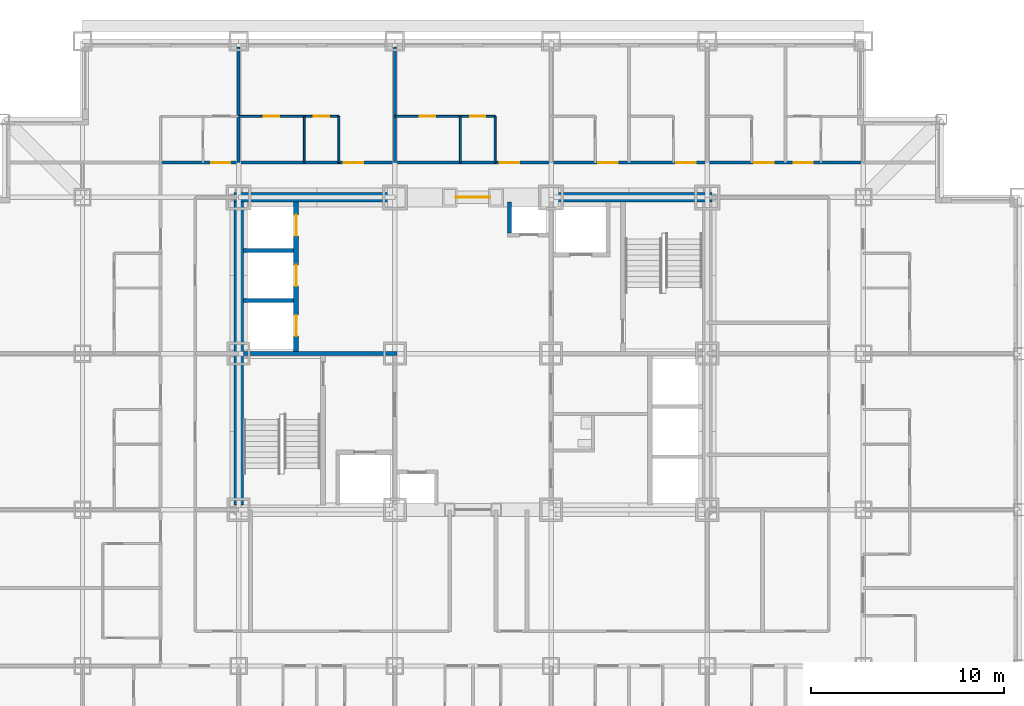
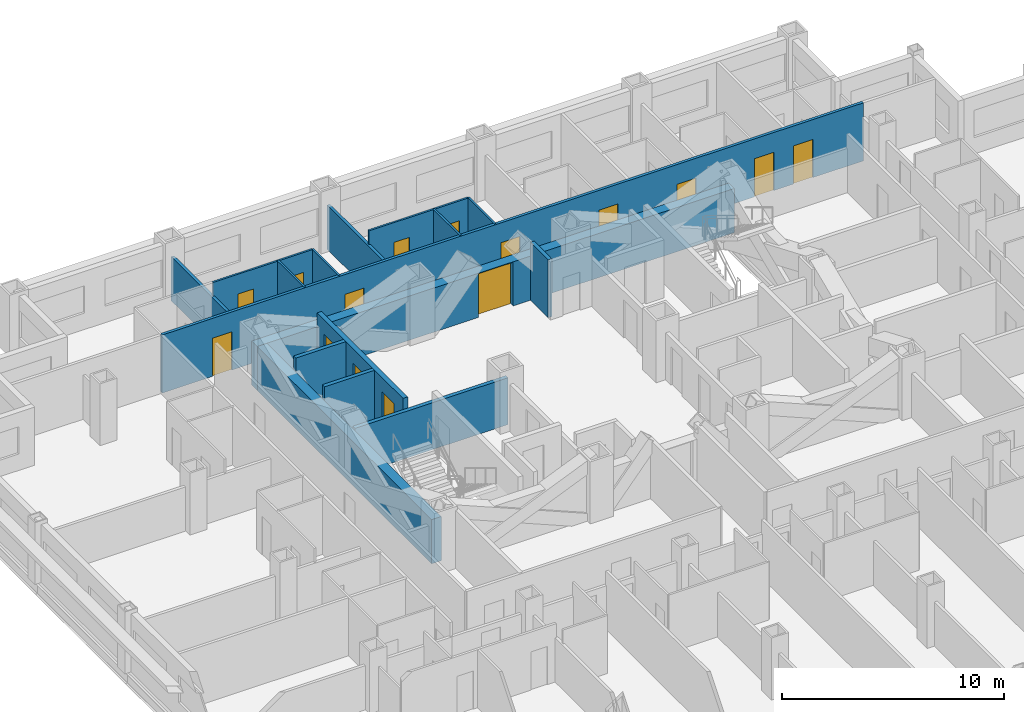
# One storey, part 8 of 12: 16 walls, 15 doors, 15 openings.
"""IFC4 building model written with IfcOpenShell, lengths in metres."""

from ifc_helpers import new_model, si_unit, direction, frame, frame_2d, origin, place, context, subcontext, project, spatial, rectangle, extrude, material, layer, layer_set, type_object, element, fill, save


model = new_model("IFC4")

# Units and contexts
model_context = context("Model", 3, precision=1e-05, world=origin(), true_north=direction((0.0, 1.0)))
body_context = subcontext(model_context, "Body", "Model", "MODEL_VIEW")
ifc_project = project(units=[si_unit("LENGTHUNIT", "METRE"), si_unit("AREAUNIT", "SQUARE_METRE"), si_unit("VOLUMEUNIT", "CUBIC_METRE"), si_unit("PLANEANGLEUNIT", "RADIAN"), si_unit("MASSUNIT", "GRAM", prefix="KILO")], contexts=[model_context])

# Site, building, storey
site_placement = place(None, origin())
site = spatial("IfcSite", under=ifc_project, at=site_placement, CompositionType="ELEMENT")
building_placement = place(site_placement, origin())
building = spatial("IfcBuilding", under=site, at=building_placement, Name="Kopane Lantern Tower", CompositionType="ELEMENT")
storey_placement = place(building_placement, frame((0.0, 0.0, 77.199951171875)))
storey = spatial("IfcBuildingStorey", under=building, at=storey_placement, Name="L19", CompositionType="ELEMENT", Elevation=77.199951171875)

# Wall, openings, doors
ifc_material_1 = material(Name="Moisture-resistant board on steel studs", Category="steel")
ifc_layer_1 = layer(ifc_material_1, 0.10009765625)
ifc_layer_set_1 = layer_set([ifc_layer_1], Name="BATHROOM WALL 100")
wall_type_1 = type_object("IfcWallType", Name="BATHROOM WALL 100", PredefinedType="PARTITIONING", material=ifc_layer_set_1)
wall_1_placement = place(storey_placement, frame((16.199951171875, 44.699951171875, 0.0), z_axis=(0.0, 0.0, 1.0), x_axis=(1.0, 0.0, 0.0)))
wall_1 = element("IfcWall", 1, at=wall_1_placement, inside=storey, type_object=wall_type_1, Name="Bathroom Wall 100 L19", PredefinedType="PARTITIONING", context=body_context, shape_type="SweptSolid", body=[
    extrude(rectangle(XDim=5.199951171875, YDim=0.10009765625, at=frame_2d((2.60009765625, 0.0))), origin(), (0.0, 0.0, 1.0), 3.18994140625),
])
opening_1_placement = place(wall_1_placement, frame((1.300048828125, 0.0, 0.0)))
opening_1 = element("IfcOpeningElement", 2, at=opening_1_placement, cuts=wall_1, Name="Opening L19-027", PredefinedType="OPENING", context=body_context, shape_type="SweptSolid", body=[
    extrude(rectangle(XDim=0.800048828125, YDim=2.10009765625, at=frame_2d((0.39990234375, 1.050048828125))), frame((0.0, 0.06005859375, 0.0), z_axis=(0.0, -1.0, 0.0), x_axis=(1.0, 0.0, 0.0)), (0.0, 0.0, 1.0), 0.1201171875),
])
opening_2_placement = place(wall_1_placement, frame((3.89990234375, 0.0, 0.0)))
opening_2 = element("IfcOpeningElement", 3, at=opening_2_placement, cuts=wall_1, Name="Opening L19-028", PredefinedType="OPENING", context=body_context, shape_type="SweptSolid", body=[
    extrude(rectangle(XDim=0.800048828125, YDim=2.10009765625, at=frame_2d((0.39990234375, 1.050048828125))), frame((0.0, 0.06005859375, 0.0), z_axis=(0.0, -1.0, 0.0), x_axis=(1.0, 0.0, 0.0)), (0.0, 0.0, 1.0), 0.1201171875),
])
ifc_material_2 = material(Name="Timber door set", Category="wood")
door_type_1 = type_object("IfcDoorType", Name="DOOR D2 800x2100", OperationType="SINGLE_SWING_LEFT", PredefinedType="DOOR", material=ifc_material_2)
door_1_placement = place(opening_1_placement, origin())
door_1 = element("IfcDoor", 4, at=door_1_placement, inside=storey, type_object=door_type_1, Name="Door L19-027", OperationType="SINGLE_SWING_LEFT", OverallHeight=2.10009765625, OverallWidth=0.800048828125, PredefinedType="DOOR", context=body_context, shape_type="SweptSolid", body=[
    extrude(rectangle(XDim=0.800048828125, YDim=2.10009765625, at=frame_2d((0.39990234375, 1.050048828125))), frame((0.0, 0.02490234375, 0.0), z_axis=(0.0, -1.0, 0.0), x_axis=(1.0, 0.0, 0.0)), (0.0, 0.0, 1.0), 0.050048828125),
])
fill(opening_1, door_1)
door_2_placement = place(opening_2_placement, origin())
door_2 = element("IfcDoor", 5, at=door_2_placement, inside=storey, type_object=door_type_1, Name="Door L19-028", OperationType="SINGLE_SWING_LEFT", OverallHeight=2.10009765625, OverallWidth=0.800048828125, PredefinedType="DOOR", context=body_context, shape_type="SweptSolid", body=[
    extrude(rectangle(XDim=0.800048828125, YDim=2.10009765625, at=frame_2d((0.39990234375, 1.050048828125))), frame((0.0, 0.02490234375, 0.0), z_axis=(0.0, -1.0, 0.0), x_axis=(1.0, 0.0, 0.0)), (0.0, 0.0, 1.0), 0.050048828125),
])
fill(opening_2, door_2)

# Walls
for number, where, z_axis, x_axis, name in (
    (6, (19.60009765625, 42.300048828125, 0.0), (0.0, 0.0, 1.0), (0.0, 1.0, 0.0), "Bathroom Wall 100 L19"),
    (7, (21.39990234375, 42.300048828125, 0.0), (0.0, 0.0, 1.0), (0.0, 1.0, 0.0), "Bathroom Wall 100 L19"),
):
    element("IfcWall", number, at=place(storey_placement, frame(where, z_axis=z_axis, x_axis=x_axis)), inside=storey, type_object=wall_type_1, Name=name, PredefinedType="PARTITIONING", context=body_context, shape_type="SweptSolid", body=[
        extrude(rectangle(XDim=2.39990234375, YDim=0.10009765625, at=frame_2d((1.199951171875, 0.0))), origin(), (0.0, 0.0, 1.0), 3.18994140625),
    ])

# Wall, openings, doors
wall_2_placement = place(storey_placement, frame((24.300048828125, 44.699951171875, 0.0), z_axis=(0.0, 0.0, 1.0), x_axis=(1.0, 0.0, 0.0)))
wall_2 = element("IfcWall", 8, at=wall_2_placement, inside=storey, type_object=wall_type_1, Name="Bathroom Wall 100 L19", PredefinedType="PARTITIONING", context=body_context, shape_type="SweptSolid", body=[
    extrude(rectangle(XDim=5.199951171875, YDim=0.10009765625, at=frame_2d((2.60009765625, 0.0))), origin(), (0.0, 0.0, 1.0), 3.18994140625),
])
opening_3_placement = place(wall_2_placement, frame((1.300048828125, 0.0, 0.0)))
opening_3 = element("IfcOpeningElement", 9, at=opening_3_placement, cuts=wall_2, Name="Opening L19-030", PredefinedType="OPENING", context=body_context, shape_type="SweptSolid", body=[
    extrude(rectangle(XDim=0.800048828125, YDim=2.10009765625, at=frame_2d((0.39990234375, 1.050048828125))), frame((0.0, 0.06005859375, 0.0), z_axis=(0.0, -1.0, 0.0), x_axis=(1.0, 0.0, 0.0)), (0.0, 0.0, 1.0), 0.1201171875),
])
opening_4_placement = place(wall_2_placement, frame((3.89990234375, 0.0, 0.0)))
opening_4 = element("IfcOpeningElement", 10, at=opening_4_placement, cuts=wall_2, Name="Opening L19-031", PredefinedType="OPENING", context=body_context, shape_type="SweptSolid", body=[
    extrude(rectangle(XDim=0.800048828125, YDim=2.10009765625, at=frame_2d((0.39990234375, 1.050048828125))), frame((0.0, 0.06005859375, 0.0), z_axis=(0.0, -1.0, 0.0), x_axis=(1.0, 0.0, 0.0)), (0.0, 0.0, 1.0), 0.1201171875),
])
door_3_placement = place(opening_3_placement, origin())
door_3 = element("IfcDoor", 11, at=door_3_placement, inside=storey, type_object=door_type_1, Name="Door L19-030", OperationType="SINGLE_SWING_LEFT", OverallHeight=2.10009765625, OverallWidth=0.800048828125, PredefinedType="DOOR", context=body_context, shape_type="SweptSolid", body=[
    extrude(rectangle(XDim=0.800048828125, YDim=2.10009765625, at=frame_2d((0.39990234375, 1.050048828125))), frame((0.0, 0.02490234375, 0.0), z_axis=(0.0, -1.0, 0.0), x_axis=(1.0, 0.0, 0.0)), (0.0, 0.0, 1.0), 0.050048828125),
])
fill(opening_3, door_3)
door_4_placement = place(opening_4_placement, origin())
door_4 = element("IfcDoor", 12, at=door_4_placement, inside=storey, type_object=door_type_1, Name="Door L19-031", OperationType="SINGLE_SWING_LEFT", OverallHeight=2.10009765625, OverallWidth=0.800048828125, PredefinedType="DOOR", context=body_context, shape_type="SweptSolid", body=[
    extrude(rectangle(XDim=0.800048828125, YDim=2.10009765625, at=frame_2d((0.39990234375, 1.050048828125))), frame((0.0, 0.02490234375, 0.0), z_axis=(0.0, -1.0, 0.0), x_axis=(1.0, 0.0, 0.0)), (0.0, 0.0, 1.0), 0.050048828125),
])
fill(opening_4, door_4)

# Walls
for number, where, z_axis, x_axis, name in (
    (13, (27.699951171875, 42.300048828125, 0.0), (0.0, 0.0, 1.0), (0.0, 1.0, 0.0), "Bathroom Wall 100 L19"),
    (14, (29.5, 42.300048828125, 0.0), (0.0, 0.0, 1.0), (0.0, 1.0, 0.0), "Bathroom Wall 100 L19"),
):
    element("IfcWall", number, at=place(storey_placement, frame(where, z_axis=z_axis, x_axis=x_axis)), inside=storey, type_object=wall_type_1, Name=name, PredefinedType="PARTITIONING", context=body_context, shape_type="SweptSolid", body=[
        extrude(rectangle(XDim=2.39990234375, YDim=0.10009765625, at=frame_2d((1.199951171875, 0.0))), origin(), (0.0, 0.0, 1.0), 3.18994140625),
    ])

# Wall, opening, door
ifc_material_3 = material(Name="Gypsum shaft wall EI 120", Category="gypsum")
ifc_layer_2 = layer(ifc_material_3, 0.5)
ifc_layer_set_2 = layer_set([ifc_layer_2], Name="CORE PERIMETER WALL 500 EI 120")
wall_type_2 = type_object("IfcWallType", Name="CORE PERIMETER WALL 500 EI 120", PredefinedType="SOLIDWALL", material=ifc_layer_set_2)
wall_3_placement = place(storey_placement, frame((15.949951171875, 40.5, 0.0), z_axis=(0.0, 0.0, 1.0), x_axis=(1.0, 0.0, 0.0)))
wall_3 = element("IfcWall", 15, at=wall_3_placement, inside=storey, type_object=wall_type_2, Name="Core shaft wall L19 PN", PredefinedType="SOLIDWALL", context=body_context, shape_type="SweptSolid", body=[
    extrude(rectangle(XDim=24.800048828125, YDim=0.5, at=frame_2d((12.39990234375, 0.0))), origin(), (0.0, 0.0, 1.0), 2.427734375),
])
opening_5_placement = place(wall_3_placement, frame((11.5, 0.0, 0.0)))
opening_5 = element("IfcOpeningElement", 16, at=opening_5_placement, cuts=wall_3, Name="Opening 19.CE-N", PredefinedType="OPENING", context=body_context, shape_type="SweptSolid", body=[
    extrude(rectangle(XDim=1.800048828125, YDim=2.39990234375, at=frame_2d((0.89990234375, 1.199951171875))), frame((0.0, 0.260009765625, 0.0), z_axis=(0.0, -1.0, 0.0), x_axis=(1.0, 0.0, 0.0)), (0.0, 0.0, 1.0), 0.52001953125),
])
ifc_material_4 = material(Name="Steel door set", Category="steel")
door_type_2 = type_object("IfcDoorType", Name="CORE ENTRY DOOR 1800x2400 FD60S", OperationType="DOUBLE_DOOR_SINGLE_SWING", PredefinedType="DOOR", material=ifc_material_4)
door_5_placement = place(opening_5_placement, origin())
door_5 = element("IfcDoor", 17, at=door_5_placement, inside=storey, type_object=door_type_2, Name="Core entry door L19 north", OperationType="DOUBLE_DOOR_SINGLE_SWING", OverallHeight=2.39990234375, OverallWidth=1.800048828125, PredefinedType="DOOR", context=body_context, shape_type="SweptSolid", body=[
    extrude(rectangle(XDim=1.800048828125, YDim=2.39990234375, at=frame_2d((0.89990234375, 1.199951171875))), frame((0.0, 0.02490234375, 0.0), z_axis=(0.0, -1.0, 0.0), x_axis=(1.0, 0.0, 0.0)), (0.0, 0.0, 1.0), 0.050048828125),
])
fill(opening_5, door_5)

# Wall
wall_4_placement = place(storey_placement, frame((16.199951171875, 24.550048828125, 0.0), z_axis=(0.0, 0.0, 1.0), x_axis=(0.0, 1.0, 0.0)))
element("IfcWall", 18, at=wall_4_placement, inside=storey, type_object=wall_type_2, Name="Core shaft wall L19 PW", PredefinedType="SOLIDWALL", context=body_context, shape_type="SweptSolid", body=[
    extrude(rectangle(XDim=15.699951171875, YDim=0.5, at=frame_2d((7.85009765625, 0.0))), origin(), (0.0, 0.0, 1.0), 2.427734375),
])

# Wall, openings, doors
ifc_material_5 = material(Name="Gypsum shaft wall EI 120", Category="gypsum")
ifc_layer_3 = layer(ifc_material_5, 0.25)
ifc_layer_set_3 = layer_set([ifc_layer_3], Name="CORE SHAFT WALL 250 EI 120")
wall_type_3 = type_object("IfcWallType", Name="CORE SHAFT WALL 250 EI 120", PredefinedType="SOLIDWALL", material=ifc_layer_set_3)
wall_5_placement = place(storey_placement, frame((19.175048828125, 32.5, 0.0), z_axis=(0.0, 0.0, 1.0), x_axis=(0.0, 1.0, 0.0)))
wall_5 = element("IfcWall", 19, at=wall_5_placement, inside=storey, type_object=wall_type_3, Name="Core shaft wall L19 XLH", PredefinedType="SOLIDWALL", context=body_context, shape_type="SweptSolid", body=[
    extrude(rectangle(XDim=7.75, YDim=0.25, at=frame_2d((3.875, 0.0))), origin(), (0.0, 0.0, 1.0), 3.18994140625),
])
opening_6_placement = place(wall_5_placement, frame((0.800048828125, 0.0, 0.0)))
opening_6 = element("IfcOpeningElement", 20, at=opening_6_placement, cuts=wall_5, Name="Opening 19.LD-LH1", PredefinedType="OPENING", context=body_context, shape_type="SweptSolid", body=[
    extrude(rectangle(XDim=1.10009765625, YDim=2.39990234375, at=frame_2d((0.550048828125, 1.199951171875))), frame((0.0, 0.135009765625, 0.0), z_axis=(0.0, -1.0, 0.0), x_axis=(1.0, 0.0, 0.0)), (0.0, 0.0, 1.0), 0.27001953125),
])
opening_7_placement = place(wall_5_placement, frame((3.39990234375, 0.0, 0.0)))
opening_7 = element("IfcOpeningElement", 21, at=opening_7_placement, cuts=wall_5, Name="Opening 19.LD-LH2", PredefinedType="OPENING", context=body_context, shape_type="SweptSolid", body=[
    extrude(rectangle(XDim=1.10009765625, YDim=2.39990234375, at=frame_2d((0.550048828125, 1.199951171875))), frame((0.0, 0.135009765625, 0.0), z_axis=(0.0, -1.0, 0.0), x_axis=(1.0, 0.0, 0.0)), (0.0, 0.0, 1.0), 0.27001953125),
])
opening_8_placement = place(wall_5_placement, frame((6.0, 0.0, 0.0)))
opening_8 = element("IfcOpeningElement", 22, at=opening_8_placement, cuts=wall_5, Name="Opening 19.LD-LH3", PredefinedType="OPENING", context=body_context, shape_type="SweptSolid", body=[
    extrude(rectangle(XDim=1.10009765625, YDim=2.39990234375, at=frame_2d((0.550048828125, 1.199951171875))), frame((0.0, 0.135009765625, 0.0), z_axis=(0.0, -1.0, 0.0), x_axis=(1.0, 0.0, 0.0)), (0.0, 0.0, 1.0), 0.27001953125),
])
ifc_material_6 = material(Name="Steel door set", Category="steel")
door_type_3 = type_object("IfcDoorType", Name="LIFT LANDING DOOR 1100x2400 FD60", OperationType="DOUBLE_DOOR_SLIDING", PredefinedType="DOOR", material=ifc_material_6)
door_6_placement = place(opening_6_placement, origin())
door_6 = element("IfcDoor", 23, at=door_6_placement, inside=storey, type_object=door_type_3, Name="Landing door LH1 L19", OperationType="DOUBLE_DOOR_SLIDING", OverallHeight=2.39990234375, OverallWidth=1.10009765625, PredefinedType="DOOR", context=body_context, shape_type="SweptSolid", body=[
    extrude(rectangle(XDim=1.10009765625, YDim=2.39990234375, at=frame_2d((0.550048828125, 1.199951171875))), frame((0.0, 0.02490234375, 0.0), z_axis=(0.0, -1.0, 0.0), x_axis=(1.0, 0.0, 0.0)), (0.0, 0.0, 1.0), 0.050048828125),
])
fill(opening_6, door_6)
door_7_placement = place(opening_7_placement, origin())
door_7 = element("IfcDoor", 24, at=door_7_placement, inside=storey, type_object=door_type_3, Name="Landing door LH2 L19", OperationType="DOUBLE_DOOR_SLIDING", OverallHeight=2.39990234375, OverallWidth=1.10009765625, PredefinedType="DOOR", context=body_context, shape_type="SweptSolid", body=[
    extrude(rectangle(XDim=1.10009765625, YDim=2.39990234375, at=frame_2d((0.550048828125, 1.199951171875))), frame((0.0, 0.02490234375, 0.0), z_axis=(0.0, -1.0, 0.0), x_axis=(1.0, 0.0, 0.0)), (0.0, 0.0, 1.0), 0.050048828125),
])
fill(opening_7, door_7)
door_8_placement = place(opening_8_placement, origin())
door_8 = element("IfcDoor", 25, at=door_8_placement, inside=storey, type_object=door_type_3, Name="Landing door LH3 L19", OperationType="DOUBLE_DOOR_SLIDING", OverallHeight=2.39990234375, OverallWidth=1.10009765625, PredefinedType="DOOR", context=body_context, shape_type="SweptSolid", body=[
    extrude(rectangle(XDim=1.10009765625, YDim=2.39990234375, at=frame_2d((0.550048828125, 1.199951171875))), frame((0.0, 0.02490234375, 0.0), z_axis=(0.0, -1.0, 0.0), x_axis=(1.0, 0.0, 0.0)), (0.0, 0.0, 1.0), 0.050048828125),
])
fill(opening_8, door_8)

ifc_material_7 = material(Name="Gypsum board on steel studs", Category="steel")
ifc_layer_4 = layer(ifc_material_7, 0.14990234375)
ifc_layer_set_4 = layer_set([ifc_layer_4], Name="CORRIDOR WALL 150 EI 60")
wall_type_4 = type_object("IfcWallType", Name="CORRIDOR WALL 150 EI 60", PredefinedType="PARTITIONING", material=ifc_layer_set_4)
wall_6_placement = place(storey_placement, frame((12.14990234375, 42.300048828125, 0.0), z_axis=(0.0, 0.0, 1.0), x_axis=(1.0, 0.0, 0.0)))
wall_6 = element("IfcWall", 26, at=wall_6_placement, inside=storey, type_object=wall_type_4, Name="Corridor Wall 150 Ei 60 L19", PredefinedType="PARTITIONING", context=body_context, shape_type="SweptSolid", body=[
    extrude(rectangle(XDim=36.4501953125, YDim=0.14990234375, at=frame_2d((18.22509765625, 0.0))), origin(), (0.0, 0.0, 1.0), 3.18994140625),
])
opening_9_placement = place(wall_6_placement, frame((9.5, 0.0, 0.0)))
opening_9 = element("IfcOpeningElement", 27, at=opening_9_placement, cuts=wall_6, Name="Opening L19-029", PredefinedType="OPENING", context=body_context, shape_type="SweptSolid", body=[
    extrude(rectangle(XDim=1.0, YDim=2.10009765625, at=frame_2d((0.5, 1.050048828125))), frame((0.0, 0.0849609375, 0.0), z_axis=(0.0, -1.0, 0.0), x_axis=(1.0, 0.0, 0.0)), (0.0, 0.0, 1.0), 0.169921875),
])
opening_10_placement = place(wall_6_placement, frame((17.60009765625, 0.0, 0.0)))
opening_10 = element("IfcOpeningElement", 28, at=opening_10_placement, cuts=wall_6, Name="Opening L19-032", PredefinedType="OPENING", context=body_context, shape_type="SweptSolid", body=[
    extrude(rectangle(XDim=1.0, YDim=2.10009765625, at=frame_2d((0.5, 1.050048828125))), frame((0.0, 0.0849609375, 0.0), z_axis=(0.0, -1.0, 0.0), x_axis=(1.0, 0.0, 0.0)), (0.0, 0.0, 1.0), 0.169921875),
])
opening_11_placement = place(wall_6_placement, frame((22.699951171875, 0.0, 0.0)))
opening_11 = element("IfcOpeningElement", 29, at=opening_11_placement, cuts=wall_6, Name="Opening L19-034", PredefinedType="OPENING", context=body_context, shape_type="SweptSolid", body=[
    extrude(rectangle(XDim=1.0, YDim=2.10009765625, at=frame_2d((0.5, 1.050048828125))), frame((0.0, 0.0849609375, 0.0), z_axis=(0.0, -1.0, 0.0), x_axis=(1.0, 0.0, 0.0)), (0.0, 0.0, 1.0), 0.169921875),
])
opening_12_placement = place(wall_6_placement, frame((26.75, 0.0, 0.0)))
opening_12 = element("IfcOpeningElement", 30, at=opening_12_placement, cuts=wall_6, Name="Opening L19-036", PredefinedType="OPENING", context=body_context, shape_type="SweptSolid", body=[
    extrude(rectangle(XDim=1.0, YDim=2.10009765625, at=frame_2d((0.5, 1.050048828125))), frame((0.0, 0.0849609375, 0.0), z_axis=(0.0, -1.0, 0.0), x_axis=(1.0, 0.0, 0.0)), (0.0, 0.0, 1.0), 0.169921875),
])
opening_13_placement = place(wall_6_placement, frame((30.800048828125, 0.0, 0.0)))
opening_13 = element("IfcOpeningElement", 31, at=opening_13_placement, cuts=wall_6, Name="Opening L19-038", PredefinedType="OPENING", context=body_context, shape_type="SweptSolid", body=[
    extrude(rectangle(XDim=1.0, YDim=2.10009765625, at=frame_2d((0.5, 1.050048828125))), frame((0.0, 0.0849609375, 0.0), z_axis=(0.0, -1.0, 0.0), x_axis=(1.0, 0.0, 0.0)), (0.0, 0.0, 1.0), 0.169921875),
])
opening_14_placement = place(wall_6_placement, frame((32.824951171875, 0.0, 0.0)))
opening_14 = element("IfcOpeningElement", 32, at=opening_14_placement, cuts=wall_6, Name="Opening L19-068", PredefinedType="OPENING", context=body_context, shape_type="SweptSolid", body=[
    extrude(rectangle(XDim=1.0, YDim=2.10009765625, at=frame_2d((0.5, 1.050048828125))), frame((0.0, 0.0849609375, 0.0), z_axis=(0.0, -1.0, 0.0), x_axis=(1.0, 0.0, 0.0)), (0.0, 0.0, 1.0), 0.169921875),
])
opening_15_placement = place(wall_6_placement, frame((2.625, 0.0, 0.0)))
opening_15 = element("IfcOpeningElement", 33, at=opening_15_placement, cuts=wall_6, Name="Opening L19-071", PredefinedType="OPENING", context=body_context, shape_type="SweptSolid", body=[
    extrude(rectangle(XDim=1.0, YDim=2.10009765625, at=frame_2d((0.5, 1.050048828125))), frame((0.0, 0.0849609375, 0.0), z_axis=(0.0, -1.0, 0.0), x_axis=(1.0, 0.0, 0.0)), (0.0, 0.0, 1.0), 0.169921875),
])
ifc_material_8 = material(Name="Steel door set", Category="steel")
door_type_4 = type_object("IfcDoorType", Name="DOOR D1 1000x2100 FD30S", OperationType="SINGLE_SWING_LEFT", PredefinedType="DOOR", material=ifc_material_8)
door_9_placement = place(opening_9_placement, origin())
door_9 = element("IfcDoor", 34, at=door_9_placement, inside=storey, type_object=door_type_4, Name="Door L19-029", OperationType="SINGLE_SWING_LEFT", OverallHeight=2.10009765625, OverallWidth=1.0, PredefinedType="DOOR", context=body_context, shape_type="SweptSolid", body=[
    extrude(rectangle(XDim=1.0, YDim=2.10009765625, at=frame_2d((0.5, 1.050048828125))), frame((0.0, 0.02490234375, 0.0), z_axis=(0.0, -1.0, 0.0), x_axis=(1.0, 0.0, 0.0)), (0.0, 0.0, 1.0), 0.050048828125),
])
fill(opening_9, door_9)
door_10_placement = place(opening_10_placement, origin())
door_10 = element("IfcDoor", 35, at=door_10_placement, inside=storey, type_object=door_type_4, Name="Door L19-032", OperationType="SINGLE_SWING_LEFT", OverallHeight=2.10009765625, OverallWidth=1.0, PredefinedType="DOOR", context=body_context, shape_type="SweptSolid", body=[
    extrude(rectangle(XDim=1.0, YDim=2.10009765625, at=frame_2d((0.5, 1.050048828125))), frame((0.0, 0.02490234375, 0.0), z_axis=(0.0, -1.0, 0.0), x_axis=(1.0, 0.0, 0.0)), (0.0, 0.0, 1.0), 0.050048828125),
])
fill(opening_10, door_10)
door_11_placement = place(opening_11_placement, origin())
door_11 = element("IfcDoor", 36, at=door_11_placement, inside=storey, type_object=door_type_4, Name="Door L19-034", OperationType="SINGLE_SWING_LEFT", OverallHeight=2.10009765625, OverallWidth=1.0, PredefinedType="DOOR", context=body_context, shape_type="SweptSolid", body=[
    extrude(rectangle(XDim=1.0, YDim=2.10009765625, at=frame_2d((0.5, 1.050048828125))), frame((0.0, 0.02490234375, 0.0), z_axis=(0.0, -1.0, 0.0), x_axis=(1.0, 0.0, 0.0)), (0.0, 0.0, 1.0), 0.050048828125),
])
fill(opening_11, door_11)
door_12_placement = place(opening_12_placement, origin())
door_12 = element("IfcDoor", 37, at=door_12_placement, inside=storey, type_object=door_type_4, Name="Door L19-036", OperationType="SINGLE_SWING_LEFT", OverallHeight=2.10009765625, OverallWidth=1.0, PredefinedType="DOOR", context=body_context, shape_type="SweptSolid", body=[
    extrude(rectangle(XDim=1.0, YDim=2.10009765625, at=frame_2d((0.5, 1.050048828125))), frame((0.0, 0.02490234375, 0.0), z_axis=(0.0, -1.0, 0.0), x_axis=(1.0, 0.0, 0.0)), (0.0, 0.0, 1.0), 0.050048828125),
])
fill(opening_12, door_12)
door_13_placement = place(opening_13_placement, origin())
door_13 = element("IfcDoor", 38, at=door_13_placement, inside=storey, type_object=door_type_4, Name="Door L19-038", OperationType="SINGLE_SWING_LEFT", OverallHeight=2.10009765625, OverallWidth=1.0, PredefinedType="DOOR", context=body_context, shape_type="SweptSolid", body=[
    extrude(rectangle(XDim=1.0, YDim=2.10009765625, at=frame_2d((0.5, 1.050048828125))), frame((0.0, 0.02490234375, 0.0), z_axis=(0.0, -1.0, 0.0), x_axis=(1.0, 0.0, 0.0)), (0.0, 0.0, 1.0), 0.050048828125),
])
fill(opening_13, door_13)
door_14_placement = place(opening_14_placement, origin())
door_14 = element("IfcDoor", 39, at=door_14_placement, inside=storey, type_object=door_type_4, Name="Door L19-068", OperationType="SINGLE_SWING_LEFT", OverallHeight=2.10009765625, OverallWidth=1.0, PredefinedType="DOOR", context=body_context, shape_type="SweptSolid", body=[
    extrude(rectangle(XDim=1.0, YDim=2.10009765625, at=frame_2d((0.5, 1.050048828125))), frame((0.0, 0.02490234375, 0.0), z_axis=(0.0, -1.0, 0.0), x_axis=(1.0, 0.0, 0.0)), (0.0, 0.0, 1.0), 0.050048828125),
])
fill(opening_14, door_14)
door_15_placement = place(opening_15_placement, origin())
door_15 = element("IfcDoor", 40, at=door_15_placement, inside=storey, type_object=door_type_4, Name="Door L19-071", OperationType="SINGLE_SWING_LEFT", OverallHeight=2.10009765625, OverallWidth=1.0, PredefinedType="DOOR", context=body_context, shape_type="SweptSolid", body=[
    extrude(rectangle(XDim=1.0, YDim=2.10009765625, at=frame_2d((0.5, 1.050048828125))), frame((0.0, 0.02490234375, 0.0), z_axis=(0.0, -1.0, 0.0), x_axis=(1.0, 0.0, 0.0)), (0.0, 0.0, 1.0), 0.050048828125),
])
fill(opening_15, door_15)

# Walls
ifc_material_9 = material(Name="Gypsum board on steel studs", Category="steel")
ifc_layer_5 = layer(ifc_material_9, 0.14990234375)
ifc_layer_set_5 = layer_set([ifc_layer_5], Name="DEMISING WALL 150 EI 60")
wall_type_5 = type_object("IfcWallType", Name="DEMISING WALL 150 EI 60", PredefinedType="PARTITIONING", material=ifc_layer_set_5)
for number, where, z_axis, x_axis, name in (
    (41, (24.300048828125, 42.300048828125, 0.0), (0.0, 0.0, 1.0), (0.0, 1.0, 0.0), "Demising Wall 150 Ei 60 L19"),
    (42, (16.199951171875, 42.300048828125, 0.0), (0.0, 0.0, 1.0), (0.0, 1.0, 0.0), "Demising Wall 150 Ei 60 L19"),
):
    element("IfcWall", number, at=place(storey_placement, frame(where, z_axis=z_axis, x_axis=x_axis)), inside=storey, type_object=wall_type_5, Name=name, PredefinedType="PARTITIONING", context=body_context, shape_type="SweptSolid", body=[
        extrude(rectangle(XDim=6.0, YDim=0.14990234375, at=frame_2d((3.0, 0.0))), origin(), (0.0, 0.0, 1.0), 2.427734375),
    ])
ifc_material_10 = material(Name="Gypsum shaft wall EI 120", Category="gypsum")
ifc_layer_6 = layer(ifc_material_10, 0.199951171875)
ifc_layer_set_6 = layer_set([ifc_layer_6], Name="SHAFT WALL 200 EI 120")
wall_type_6 = type_object("IfcWallType", Name="SHAFT WALL 200 EI 120", PredefinedType="SOLIDWALL", material=ifc_layer_set_6)
wall_7_placement = place(storey_placement, frame((16.449951171875, 32.39990234375, 0.0), z_axis=(0.0, 0.0, 1.0), x_axis=(1.0, 0.0, 0.0)))
element("IfcWall", 43, at=wall_7_placement, inside=storey, type_object=wall_type_6, Name="Core shaft wall L19 Y324W", PredefinedType="SOLIDWALL", context=body_context, shape_type="SweptSolid", body=[
    extrude(rectangle(XDim=7.949951171875, YDim=0.199951171875, at=frame_2d((3.97509765625, 0.0))), origin(), (0.0, 0.0, 1.0), 2.577880859375),
])
for number, where, z_axis, x_axis, name in (
    (44, (16.449951171875, 35.14990234375, 0.0), (0.0, 0.0, 1.0), (1.0, 0.0, 0.0), "Core shaft wall L19 YLH12"),
    (45, (16.449951171875, 37.75, 0.0), (0.0, 0.0, 1.0), (1.0, 0.0, 0.0), "Core shaft wall L19 YLH23"),
):
    element("IfcWall", number, at=place(storey_placement, frame(where, z_axis=z_axis, x_axis=x_axis)), inside=storey, type_object=wall_type_6, Name=name, PredefinedType="SOLIDWALL", context=body_context, shape_type="SweptSolid", body=[
        extrude(rectangle(XDim=2.60009765625, YDim=0.199951171875, at=frame_2d((1.300048828125, 0.0))), origin(), (0.0, 0.0, 1.0), 3.18994140625),
    ])
wall_8_placement = place(storey_placement, frame((30.25, 38.64990234375, 0.0), z_axis=(0.0, 0.0, 1.0), x_axis=(0.0, 1.0, 0.0)))
element("IfcWall", 46, at=wall_8_placement, inside=storey, type_object=wall_type_6, Name="Core shaft wall L19 XRS2", PredefinedType="SOLIDWALL", context=body_context, shape_type="SweptSolid", body=[
    extrude(rectangle(XDim=1.60009765625, YDim=0.199951171875, at=frame_2d((0.800048828125, 0.0))), origin(), (0.0, 0.0, 1.0), 3.18994140625),
])

save(model, "model.ifc")
